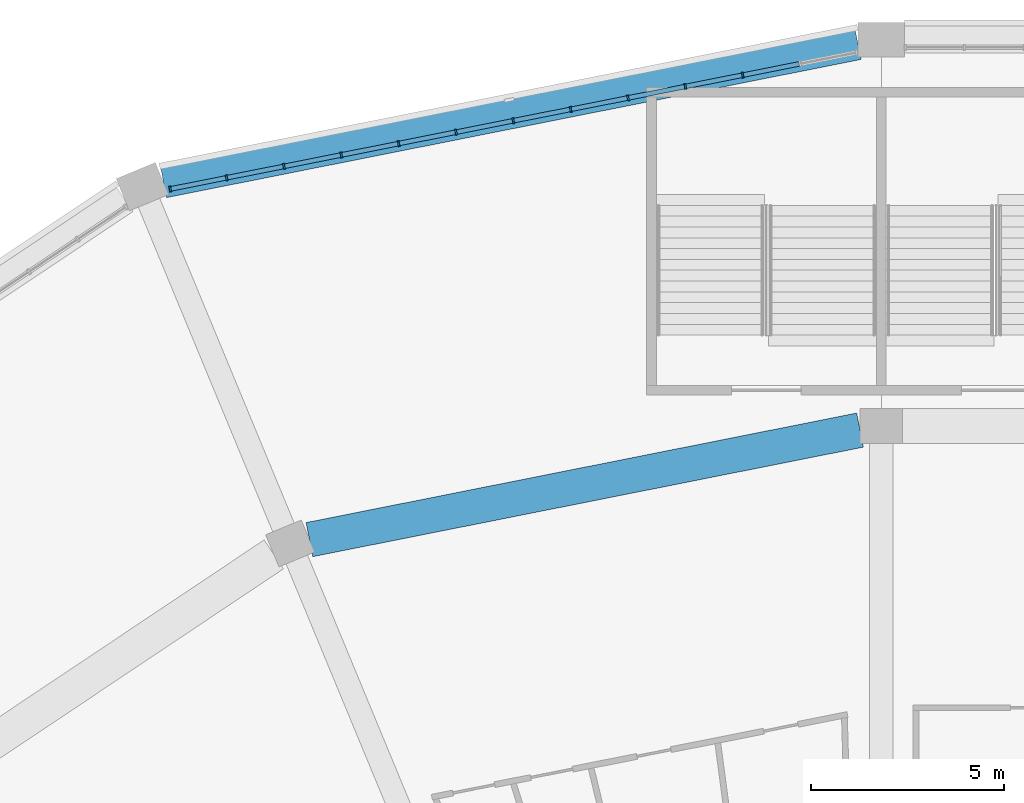
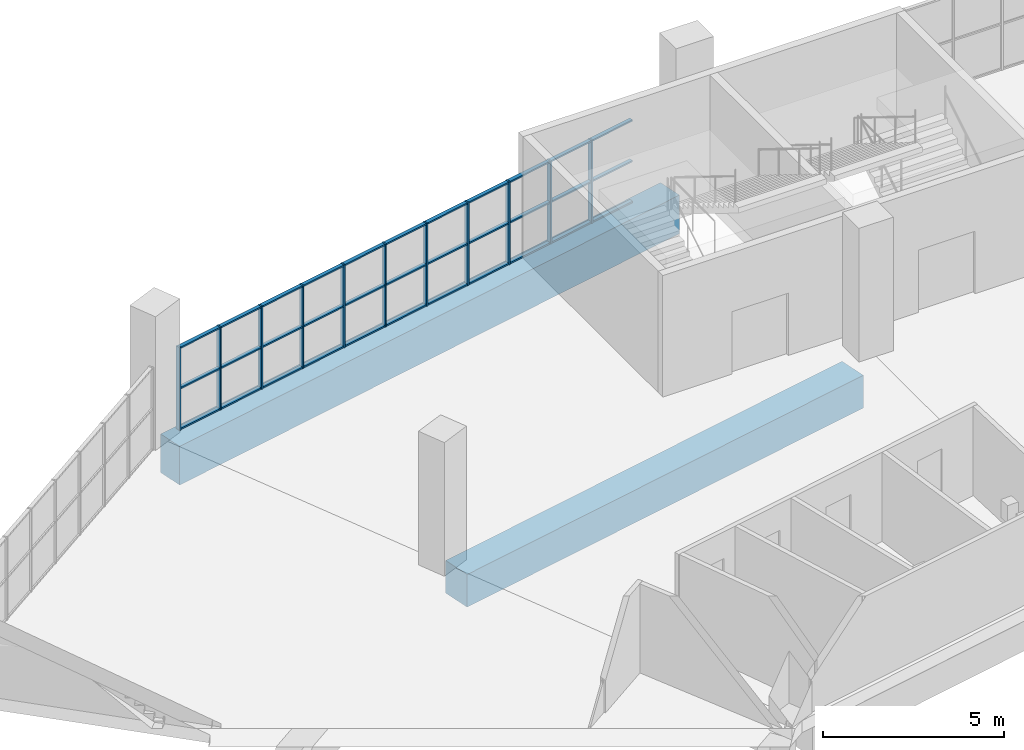
# One storey, part 42 of 199: 44 members, 2 beams, 1 element without a shape of its own.
"""IFC4 building model written with IfcOpenShell, lengths in metres."""

from ifc_helpers import new_model, si_unit, direction, frame, origin, origin_2d, place, context, subcontext, project, spatial, rectangle, extrude, material, material_profile, profile_set, type_object, element, aggregate, save


model = new_model("IFC4")

# Units and contexts
model_context = context("Model", 3, precision=1e-05, world=origin(), true_north=direction((0.0, 1.0)))
body_context = subcontext(model_context, "Body", "Model", "MODEL_VIEW")
ifc_project = project(units=[si_unit("LENGTHUNIT", "METRE"), si_unit("AREAUNIT", "SQUARE_METRE"), si_unit("VOLUMEUNIT", "CUBIC_METRE"), si_unit("PLANEANGLEUNIT", "RADIAN"), si_unit("MASSUNIT", "GRAM", prefix="KILO")], contexts=[model_context])

# Site, building, storey
site_placement = place(None, origin())
site = spatial("IfcSite", under=ifc_project, at=site_placement, CompositionType="ELEMENT")
building_placement = place(site_placement, origin())
building = spatial("IfcBuilding", under=site, at=building_placement, Name="Ogive Plaza Stadium", CompositionType="ELEMENT")
storey_placement = place(building_placement, frame((0.0, 0.0, 9.0)))
storey = spatial("IfcBuildingStorey", under=building, at=storey_placement, Name="L02", CompositionType="ELEMENT", Elevation=9.0)

# Curtain wall, members
ifc_material_1 = material(Name="Bronze-anodised aluminium with laminated glass", Category="aluminium")
curtain_wall_type = type_object("IfcCurtainWallType", Name="Lancet curtain wall", PredefinedType="NOTDEFINED", material=ifc_material_1)
curtain_wall_placement = place(storey_placement, origin())
curtain_wall = element("IfcCurtainWall", 1, at=curtain_wall_placement, inside=storey, type_object=curtain_wall_type, Name="CURTAIN WALL B31 L02", PredefinedType="NOTDEFINED")
ifc_material_2 = material(Name="Bronze-anodised aluminium", Category="aluminium")
ifc_material_profile_1 = material_profile(ifc_material_2, rectangle(XDim=0.14990234375, YDim=0.050048828125, at=origin_2d()), Name="AL 150x50")
ifc_profile_set_1 = profile_set([ifc_material_profile_1], Name="Bronze-anodised aluminium")
member_type_1 = type_object("IfcMemberType", Name="Curtain wall mullion 50x150", PredefinedType="MULLION", material=ifc_profile_set_1)
member_1_placement = place(storey_placement, frame((-52.412109375, 98.6337890625, 0.0), z_axis=(0.0, 0.0, 1.0), x_axis=(-0.195090322016, 0.980785280403, 0.0)))
member_1 = element("IfcMember", 2, at=member_1_placement, type_object=member_type_1, Name="CW-B31-L02 mullion 1", PredefinedType="MULLION", context=body_context, shape_type="SweptSolid", body=[
    extrude(rectangle(XDim=0.14990234375, YDim=0.050048828125, at=origin_2d()), origin(), (0.0, 0.0, 1.0), 2.7900390625),
])
member_2_placement = place(storey_placement, frame((-50.951904296875, 98.924072265625, 0.0), z_axis=(0.0, 0.0, 1.0), x_axis=(-0.195090322016, 0.980785280403, 0.0)))
member_2 = element("IfcMember", 3, at=member_2_placement, type_object=member_type_1, Name="CW-B31-L02 mullion 2", PredefinedType="MULLION", context=body_context, shape_type="SweptSolid", body=[
    extrude(rectangle(XDim=0.14990234375, YDim=0.050048828125, at=origin_2d()), origin(), (0.0, 0.0, 1.0), 2.7900390625),
])
member_3_placement = place(storey_placement, frame((-49.467041015625, 99.219482421875, 0.0), z_axis=(0.0, 0.0, 1.0), x_axis=(-0.195090322016, 0.980785280403, 0.0)))
member_3 = element("IfcMember", 4, at=member_3_placement, type_object=member_type_1, Name="CW-B31-L02 mullion 3", PredefinedType="MULLION", context=body_context, shape_type="SweptSolid", body=[
    extrude(rectangle(XDim=0.14990234375, YDim=0.050048828125, at=origin_2d()), origin(), (0.0, 0.0, 1.0), 2.7900390625),
])
member_4_placement = place(storey_placement, frame((-47.982421875, 99.514892578125, 0.0), z_axis=(0.0, 0.0, 1.0), x_axis=(-0.195090322016, 0.980785280403, 0.0)))
member_4 = element("IfcMember", 5, at=member_4_placement, type_object=member_type_1, Name="CW-B31-L02 mullion 4", PredefinedType="MULLION", context=body_context, shape_type="SweptSolid", body=[
    extrude(rectangle(XDim=0.14990234375, YDim=0.050048828125, at=origin_2d()), origin(), (0.0, 0.0, 1.0), 2.7900390625),
])
member_5_placement = place(storey_placement, frame((-46.49755859375, 99.81005859375, 0.0), z_axis=(0.0, 0.0, 1.0), x_axis=(-0.195090322016, 0.980785280403, 0.0)))
member_5 = element("IfcMember", 6, at=member_5_placement, type_object=member_type_1, Name="CW-B31-L02 mullion 5", PredefinedType="MULLION", context=body_context, shape_type="SweptSolid", body=[
    extrude(rectangle(XDim=0.14990234375, YDim=0.050048828125, at=origin_2d()), origin(), (0.0, 0.0, 1.0), 2.7900390625),
])
member_6_placement = place(storey_placement, frame((-45.012939453125, 100.10546875, 0.0), z_axis=(0.0, 0.0, 1.0), x_axis=(-0.195090322016, 0.980785280403, 0.0)))
member_6 = element("IfcMember", 7, at=member_6_placement, type_object=member_type_1, Name="CW-B31-L02 mullion 6", PredefinedType="MULLION", context=body_context, shape_type="SweptSolid", body=[
    extrude(rectangle(XDim=0.14990234375, YDim=0.050048828125, at=origin_2d()), origin(), (0.0, 0.0, 1.0), 2.7900390625),
])
member_7_placement = place(storey_placement, frame((-43.528076171875, 100.40087890625, 0.0), z_axis=(0.0, 0.0, 1.0), x_axis=(-0.195090322016, 0.980785280403, 0.0)))
member_7 = element("IfcMember", 8, at=member_7_placement, type_object=member_type_1, Name="CW-B31-L02 mullion 7", PredefinedType="MULLION", context=body_context, shape_type="SweptSolid", body=[
    extrude(rectangle(XDim=0.14990234375, YDim=0.050048828125, at=origin_2d()), origin(), (0.0, 0.0, 1.0), 2.7900390625),
])
member_8_placement = place(storey_placement, frame((-42.043212890625, 100.6962890625, 0.0), z_axis=(0.0, 0.0, 1.0), x_axis=(-0.195090322016, 0.980785280403, 0.0)))
member_8 = element("IfcMember", 9, at=member_8_placement, type_object=member_type_1, Name="CW-B31-L02 mullion 8", PredefinedType="MULLION", context=body_context, shape_type="SweptSolid", body=[
    extrude(rectangle(XDim=0.14990234375, YDim=0.050048828125, at=origin_2d()), origin(), (0.0, 0.0, 1.0), 2.7900390625),
])
member_9_placement = place(storey_placement, frame((-40.55859375, 100.991455078125, 0.0), z_axis=(0.0, 0.0, 1.0), x_axis=(-0.195090322016, 0.980785280403, 0.0)))
member_9 = element("IfcMember", 10, at=member_9_placement, type_object=member_type_1, Name="CW-B31-L02 mullion 9", PredefinedType="MULLION", context=body_context, shape_type="SweptSolid", body=[
    extrude(rectangle(XDim=0.14990234375, YDim=0.050048828125, at=origin_2d()), origin(), (0.0, 0.0, 1.0), 2.7900390625),
])
member_10_placement = place(storey_placement, frame((-39.07373046875, 101.286865234375, 0.0), z_axis=(0.0, 0.0, 1.0), x_axis=(-0.195090322016, 0.980785280403, 0.0)))
member_10 = element("IfcMember", 11, at=member_10_placement, type_object=member_type_1, Name="CW-B31-L02 mullion 10", PredefinedType="MULLION", context=body_context, shape_type="SweptSolid", body=[
    extrude(rectangle(XDim=0.14990234375, YDim=0.050048828125, at=origin_2d()), origin(), (0.0, 0.0, 1.0), 2.7900390625),
])
member_11_placement = place(storey_placement, frame((-37.589111328125, 101.582275390625, 0.0), z_axis=(0.0, 0.0, 1.0), x_axis=(-0.195090322016, 0.980785280403, 0.0)))
member_11 = element("IfcMember", 12, at=member_11_placement, type_object=member_type_1, Name="CW-B31-L02 mullion 11", PredefinedType="MULLION", context=body_context, shape_type="SweptSolid", body=[
    extrude(rectangle(XDim=0.14990234375, YDim=0.050048828125, at=origin_2d()), origin(), (0.0, 0.0, 1.0), 2.7900390625),
])
ifc_material_3 = material(Name="Bronze-anodised aluminium", Category="aluminium")
ifc_material_profile_2 = material_profile(ifc_material_3, rectangle(XDim=0.1201171875, YDim=0.050048828125, at=origin_2d()), Name="AL 120x50")
ifc_profile_set_2 = profile_set([ifc_material_profile_2], Name="Bronze-anodised aluminium")
member_type_2 = type_object("IfcMemberType", Name="Curtain wall transom 50x120", PredefinedType="USERDEFINED", material=ifc_profile_set_2)
member_12_placement = place(storey_placement, frame((-52.3876953125, 98.638671875, 0.02490234375), z_axis=(0.980814888552, 0.194941412722, 0.0), x_axis=(-0.194941412722, 0.980814888552, 0.0)))
member_12 = element("IfcMember", 13, at=member_12_placement, type_object=member_type_2, Name="CW-B31-L02 transom 1.1", ObjectType="TRANSOM", PredefinedType="USERDEFINED", context=body_context, shape_type="SweptSolid", body=[
    extrude(rectangle(XDim=0.1201171875, YDim=0.050048828125, at=origin_2d()), origin(), (0.0, 0.0, 1.0), 1.43896484375),
])
member_13_placement = place(storey_placement, frame((-52.3876953125, 98.638671875, 1.39501953125), z_axis=(0.980814888552, 0.194941412722, 0.0), x_axis=(-0.194941412722, 0.980814888552, 0.0)))
member_13 = element("IfcMember", 14, at=member_13_placement, type_object=member_type_2, Name="CW-B31-L02 transom 1.2", ObjectType="TRANSOM", PredefinedType="USERDEFINED", context=body_context, shape_type="SweptSolid", body=[
    extrude(rectangle(XDim=0.1201171875, YDim=0.050048828125, at=origin_2d()), origin(), (0.0, 0.0, 1.0), 1.43896484375),
])
member_14_placement = place(storey_placement, frame((-52.3876953125, 98.638671875, 2.764892578125), z_axis=(0.980814888552, 0.194941412722, 0.0), x_axis=(-0.194941412722, 0.980814888552, 0.0)))
member_14 = element("IfcMember", 15, at=member_14_placement, type_object=member_type_2, Name="CW-B31-L02 transom 1.3", ObjectType="TRANSOM", PredefinedType="USERDEFINED", context=body_context, shape_type="SweptSolid", body=[
    extrude(rectangle(XDim=0.1201171875, YDim=0.050048828125, at=origin_2d()), origin(), (0.0, 0.0, 1.0), 1.43896484375),
])
member_15_placement = place(storey_placement, frame((-50.92724609375, 98.928955078125, 0.02490234375), z_axis=(0.980772662828, 0.195153744134, 0.0), x_axis=(-0.195153744134, 0.980772662828, 0.0)))
member_15 = element("IfcMember", 16, at=member_15_placement, type_object=member_type_2, Name="CW-B31-L02 transom 2.1", ObjectType="TRANSOM", PredefinedType="USERDEFINED", context=body_context, shape_type="SweptSolid", body=[
    extrude(rectangle(XDim=0.1201171875, YDim=0.050048828125, at=origin_2d()), origin(), (0.0, 0.0, 1.0), 1.463623046875),
])
member_16_placement = place(storey_placement, frame((-50.92724609375, 98.928955078125, 1.39501953125), z_axis=(0.980772662828, 0.195153744134, 0.0), x_axis=(-0.195153744134, 0.980772662828, 0.0)))
member_16 = element("IfcMember", 17, at=member_16_placement, type_object=member_type_2, Name="CW-B31-L02 transom 2.2", ObjectType="TRANSOM", PredefinedType="USERDEFINED", context=body_context, shape_type="SweptSolid", body=[
    extrude(rectangle(XDim=0.1201171875, YDim=0.050048828125, at=origin_2d()), origin(), (0.0, 0.0, 1.0), 1.463623046875),
])
member_17_placement = place(storey_placement, frame((-50.92724609375, 98.928955078125, 2.764892578125), z_axis=(0.980772662828, 0.195153744134, 0.0), x_axis=(-0.195153744134, 0.980772662828, 0.0)))
member_17 = element("IfcMember", 18, at=member_17_placement, type_object=member_type_2, Name="CW-B31-L02 transom 2.3", ObjectType="TRANSOM", PredefinedType="USERDEFINED", context=body_context, shape_type="SweptSolid", body=[
    extrude(rectangle(XDim=0.1201171875, YDim=0.050048828125, at=origin_2d()), origin(), (0.0, 0.0, 1.0), 1.463623046875),
])
member_18_placement = place(storey_placement, frame((-49.442626953125, 99.224365234375, 0.02490234375), z_axis=(0.980779013771, 0.195121823859, 0.0), x_axis=(-0.195121823859, 0.980779013771, 0.0)))
member_18 = element("IfcMember", 19, at=member_18_placement, type_object=member_type_2, Name="CW-B31-L02 transom 3.1", ObjectType="TRANSOM", PredefinedType="USERDEFINED", context=body_context, shape_type="SweptSolid", body=[
    extrude(rectangle(XDim=0.1201171875, YDim=0.050048828125, at=origin_2d()), origin(), (0.0, 0.0, 1.0), 1.4638671875),
])
member_19_placement = place(storey_placement, frame((-49.442626953125, 99.224365234375, 1.39501953125), z_axis=(0.980779013771, 0.195121823859, 0.0), x_axis=(-0.195121823859, 0.980779013771, 0.0)))
member_19 = element("IfcMember", 20, at=member_19_placement, type_object=member_type_2, Name="CW-B31-L02 transom 3.2", ObjectType="TRANSOM", PredefinedType="USERDEFINED", context=body_context, shape_type="SweptSolid", body=[
    extrude(rectangle(XDim=0.1201171875, YDim=0.050048828125, at=origin_2d()), origin(), (0.0, 0.0, 1.0), 1.4638671875),
])
member_20_placement = place(storey_placement, frame((-49.442626953125, 99.224365234375, 2.764892578125), z_axis=(0.980779013771, 0.195121823859, 0.0), x_axis=(-0.195121823859, 0.980779013771, 0.0)))
member_20 = element("IfcMember", 21, at=member_20_placement, type_object=member_type_2, Name="CW-B31-L02 transom 3.3", ObjectType="TRANSOM", PredefinedType="USERDEFINED", context=body_context, shape_type="SweptSolid", body=[
    extrude(rectangle(XDim=0.1201171875, YDim=0.050048828125, at=origin_2d()), origin(), (0.0, 0.0, 1.0), 1.4638671875),
])
member_21_placement = place(storey_placement, frame((-47.957763671875, 99.519775390625, 0.02490234375), z_axis=(0.980804576136, 0.194993290732, 0.0), x_axis=(-0.194993290732, 0.980804576136, 0.0)))
member_21 = element("IfcMember", 22, at=member_21_placement, type_object=member_type_2, Name="CW-B31-L02 transom 4.1", ObjectType="TRANSOM", PredefinedType="USERDEFINED", context=body_context, shape_type="SweptSolid", body=[
    extrude(rectangle(XDim=0.1201171875, YDim=0.050048828125, at=origin_2d()), origin(), (0.0, 0.0, 1.0), 1.463623046875),
])
member_22_placement = place(storey_placement, frame((-47.957763671875, 99.519775390625, 1.39501953125), z_axis=(0.980804576136, 0.194993290732, 0.0), x_axis=(-0.194993290732, 0.980804576136, 0.0)))
member_22 = element("IfcMember", 23, at=member_22_placement, type_object=member_type_2, Name="CW-B31-L02 transom 4.2", ObjectType="TRANSOM", PredefinedType="USERDEFINED", context=body_context, shape_type="SweptSolid", body=[
    extrude(rectangle(XDim=0.1201171875, YDim=0.050048828125, at=origin_2d()), origin(), (0.0, 0.0, 1.0), 1.463623046875),
])
member_23_placement = place(storey_placement, frame((-47.957763671875, 99.519775390625, 2.764892578125), z_axis=(0.980804576136, 0.194993290732, 0.0), x_axis=(-0.194993290732, 0.980804576136, 0.0)))
member_23 = element("IfcMember", 24, at=member_23_placement, type_object=member_type_2, Name="CW-B31-L02 transom 4.3", ObjectType="TRANSOM", PredefinedType="USERDEFINED", context=body_context, shape_type="SweptSolid", body=[
    extrude(rectangle(XDim=0.1201171875, YDim=0.050048828125, at=origin_2d()), origin(), (0.0, 0.0, 1.0), 1.463623046875),
])
member_24_placement = place(storey_placement, frame((-46.47314453125, 99.81494140625, 0.02490234375), z_axis=(0.980779013771, 0.195121823859, 0.0), x_axis=(-0.195121823859, 0.980779013771, 0.0)))
member_24 = element("IfcMember", 25, at=member_24_placement, type_object=member_type_2, Name="CW-B31-L02 transom 5.1", ObjectType="TRANSOM", PredefinedType="USERDEFINED", context=body_context, shape_type="SweptSolid", body=[
    extrude(rectangle(XDim=0.1201171875, YDim=0.050048828125, at=origin_2d()), origin(), (0.0, 0.0, 1.0), 1.4638671875),
])
member_25_placement = place(storey_placement, frame((-46.47314453125, 99.81494140625, 1.39501953125), z_axis=(0.980779013771, 0.195121823859, 0.0), x_axis=(-0.195121823859, 0.980779013771, 0.0)))
member_25 = element("IfcMember", 26, at=member_25_placement, type_object=member_type_2, Name="CW-B31-L02 transom 5.2", ObjectType="TRANSOM", PredefinedType="USERDEFINED", context=body_context, shape_type="SweptSolid", body=[
    extrude(rectangle(XDim=0.1201171875, YDim=0.050048828125, at=origin_2d()), origin(), (0.0, 0.0, 1.0), 1.4638671875),
])
member_26_placement = place(storey_placement, frame((-46.47314453125, 99.81494140625, 2.764892578125), z_axis=(0.980779013771, 0.195121823859, 0.0), x_axis=(-0.195121823859, 0.980779013771, 0.0)))
member_26 = element("IfcMember", 27, at=member_26_placement, type_object=member_type_2, Name="CW-B31-L02 transom 5.3", ObjectType="TRANSOM", PredefinedType="USERDEFINED", context=body_context, shape_type="SweptSolid", body=[
    extrude(rectangle(XDim=0.1201171875, YDim=0.050048828125, at=origin_2d()), origin(), (0.0, 0.0, 1.0), 1.4638671875),
])
member_27_placement = place(storey_placement, frame((-44.98828125, 100.1103515625, 0.02490234375), z_axis=(0.980779013771, 0.195121823859, 0.0), x_axis=(-0.195121823859, 0.980779013771, 0.0)))
member_27 = element("IfcMember", 28, at=member_27_placement, type_object=member_type_2, Name="CW-B31-L02 transom 6.1", ObjectType="TRANSOM", PredefinedType="USERDEFINED", context=body_context, shape_type="SweptSolid", body=[
    extrude(rectangle(XDim=0.1201171875, YDim=0.050048828125, at=origin_2d()), origin(), (0.0, 0.0, 1.0), 1.4638671875),
])
member_28_placement = place(storey_placement, frame((-44.98828125, 100.1103515625, 1.39501953125), z_axis=(0.980779013771, 0.195121823859, 0.0), x_axis=(-0.195121823859, 0.980779013771, 0.0)))
member_28 = element("IfcMember", 29, at=member_28_placement, type_object=member_type_2, Name="CW-B31-L02 transom 6.2", ObjectType="TRANSOM", PredefinedType="USERDEFINED", context=body_context, shape_type="SweptSolid", body=[
    extrude(rectangle(XDim=0.1201171875, YDim=0.050048828125, at=origin_2d()), origin(), (0.0, 0.0, 1.0), 1.4638671875),
])
member_29_placement = place(storey_placement, frame((-44.98828125, 100.1103515625, 2.764892578125), z_axis=(0.980779013771, 0.195121823859, 0.0), x_axis=(-0.195121823859, 0.980779013771, 0.0)))
member_29 = element("IfcMember", 30, at=member_29_placement, type_object=member_type_2, Name="CW-B31-L02 transom 6.3", ObjectType="TRANSOM", PredefinedType="USERDEFINED", context=body_context, shape_type="SweptSolid", body=[
    extrude(rectangle(XDim=0.1201171875, YDim=0.050048828125, at=origin_2d()), origin(), (0.0, 0.0, 1.0), 1.4638671875),
])
member_30_placement = place(storey_placement, frame((-43.503662109375, 100.40576171875, 0.02490234375), z_axis=(0.980779013771, 0.195121823859, 0.0), x_axis=(-0.195121823859, 0.980779013771, 0.0)))
member_30 = element("IfcMember", 31, at=member_30_placement, type_object=member_type_2, Name="CW-B31-L02 transom 7.1", ObjectType="TRANSOM", PredefinedType="USERDEFINED", context=body_context, shape_type="SweptSolid", body=[
    extrude(rectangle(XDim=0.1201171875, YDim=0.050048828125, at=origin_2d()), origin(), (0.0, 0.0, 1.0), 1.4638671875),
])
member_31_placement = place(storey_placement, frame((-43.503662109375, 100.40576171875, 1.39501953125), z_axis=(0.980779013771, 0.195121823859, 0.0), x_axis=(-0.195121823859, 0.980779013771, 0.0)))
member_31 = element("IfcMember", 32, at=member_31_placement, type_object=member_type_2, Name="CW-B31-L02 transom 7.2", ObjectType="TRANSOM", PredefinedType="USERDEFINED", context=body_context, shape_type="SweptSolid", body=[
    extrude(rectangle(XDim=0.1201171875, YDim=0.050048828125, at=origin_2d()), origin(), (0.0, 0.0, 1.0), 1.4638671875),
])
member_32_placement = place(storey_placement, frame((-43.503662109375, 100.40576171875, 2.764892578125), z_axis=(0.980779013771, 0.195121823859, 0.0), x_axis=(-0.195121823859, 0.980779013771, 0.0)))
member_32 = element("IfcMember", 33, at=member_32_placement, type_object=member_type_2, Name="CW-B31-L02 transom 7.3", ObjectType="TRANSOM", PredefinedType="USERDEFINED", context=body_context, shape_type="SweptSolid", body=[
    extrude(rectangle(XDim=0.1201171875, YDim=0.050048828125, at=origin_2d()), origin(), (0.0, 0.0, 1.0), 1.4638671875),
])
member_33_placement = place(storey_placement, frame((-42.018798828125, 100.700927734375, 0.02490234375), z_axis=(0.980779013771, 0.195121823859, 0.0), x_axis=(-0.195121823859, 0.980779013771, 0.0)))
member_33 = element("IfcMember", 34, at=member_33_placement, type_object=member_type_2, Name="CW-B31-L02 transom 8.1", ObjectType="TRANSOM", PredefinedType="USERDEFINED", context=body_context, shape_type="SweptSolid", body=[
    extrude(rectangle(XDim=0.1201171875, YDim=0.050048828125, at=origin_2d()), origin(), (0.0, 0.0, 1.0), 1.4638671875),
])
member_34_placement = place(storey_placement, frame((-42.018798828125, 100.700927734375, 1.39501953125), z_axis=(0.980779013771, 0.195121823859, 0.0), x_axis=(-0.195121823859, 0.980779013771, 0.0)))
member_34 = element("IfcMember", 35, at=member_34_placement, type_object=member_type_2, Name="CW-B31-L02 transom 8.2", ObjectType="TRANSOM", PredefinedType="USERDEFINED", context=body_context, shape_type="SweptSolid", body=[
    extrude(rectangle(XDim=0.1201171875, YDim=0.050048828125, at=origin_2d()), origin(), (0.0, 0.0, 1.0), 1.4638671875),
])
member_35_placement = place(storey_placement, frame((-42.018798828125, 100.700927734375, 2.764892578125), z_axis=(0.980779013771, 0.195121823859, 0.0), x_axis=(-0.195121823859, 0.980779013771, 0.0)))
member_35 = element("IfcMember", 36, at=member_35_placement, type_object=member_type_2, Name="CW-B31-L02 transom 8.3", ObjectType="TRANSOM", PredefinedType="USERDEFINED", context=body_context, shape_type="SweptSolid", body=[
    extrude(rectangle(XDim=0.1201171875, YDim=0.050048828125, at=origin_2d()), origin(), (0.0, 0.0, 1.0), 1.4638671875),
])
member_36_placement = place(storey_placement, frame((-40.533935546875, 100.996337890625, 0.02490234375), z_axis=(0.980772662828, 0.195153744134, 0.0), x_axis=(-0.195153744134, 0.980772662828, 0.0)))
member_36 = element("IfcMember", 37, at=member_36_placement, type_object=member_type_2, Name="CW-B31-L02 transom 9.1", ObjectType="TRANSOM", PredefinedType="USERDEFINED", context=body_context, shape_type="SweptSolid", body=[
    extrude(rectangle(XDim=0.1201171875, YDim=0.050048828125, at=origin_2d()), origin(), (0.0, 0.0, 1.0), 1.463623046875),
])
member_37_placement = place(storey_placement, frame((-40.533935546875, 100.996337890625, 1.39501953125), z_axis=(0.980772662828, 0.195153744134, 0.0), x_axis=(-0.195153744134, 0.980772662828, 0.0)))
member_37 = element("IfcMember", 38, at=member_37_placement, type_object=member_type_2, Name="CW-B31-L02 transom 9.2", ObjectType="TRANSOM", PredefinedType="USERDEFINED", context=body_context, shape_type="SweptSolid", body=[
    extrude(rectangle(XDim=0.1201171875, YDim=0.050048828125, at=origin_2d()), origin(), (0.0, 0.0, 1.0), 1.463623046875),
])
member_38_placement = place(storey_placement, frame((-40.533935546875, 100.996337890625, 2.764892578125), z_axis=(0.980772662828, 0.195153744134, 0.0), x_axis=(-0.195153744134, 0.980772662828, 0.0)))
member_38 = element("IfcMember", 39, at=member_38_placement, type_object=member_type_2, Name="CW-B31-L02 transom 9.3", ObjectType="TRANSOM", PredefinedType="USERDEFINED", context=body_context, shape_type="SweptSolid", body=[
    extrude(rectangle(XDim=0.1201171875, YDim=0.050048828125, at=origin_2d()), origin(), (0.0, 0.0, 1.0), 1.463623046875),
])
member_39_placement = place(storey_placement, frame((-39.04931640625, 101.291748046875, 0.02490234375), z_axis=(0.980779013771, 0.195121823859, 0.0), x_axis=(-0.195121823859, 0.980779013771, 0.0)))
member_39 = element("IfcMember", 40, at=member_39_placement, type_object=member_type_2, Name="CW-B31-L02 transom 10.1", ObjectType="TRANSOM", PredefinedType="USERDEFINED", context=body_context, shape_type="SweptSolid", body=[
    extrude(rectangle(XDim=0.1201171875, YDim=0.050048828125, at=origin_2d()), origin(), (0.0, 0.0, 1.0), 1.4638671875),
])
member_40_placement = place(storey_placement, frame((-39.04931640625, 101.291748046875, 1.39501953125), z_axis=(0.980779013771, 0.195121823859, 0.0), x_axis=(-0.195121823859, 0.980779013771, 0.0)))
member_40 = element("IfcMember", 41, at=member_40_placement, type_object=member_type_2, Name="CW-B31-L02 transom 10.2", ObjectType="TRANSOM", PredefinedType="USERDEFINED", context=body_context, shape_type="SweptSolid", body=[
    extrude(rectangle(XDim=0.1201171875, YDim=0.050048828125, at=origin_2d()), origin(), (0.0, 0.0, 1.0), 1.4638671875),
])
member_41_placement = place(storey_placement, frame((-39.04931640625, 101.291748046875, 2.764892578125), z_axis=(0.980779013771, 0.195121823859, 0.0), x_axis=(-0.195121823859, 0.980779013771, 0.0)))
member_41 = element("IfcMember", 42, at=member_41_placement, type_object=member_type_2, Name="CW-B31-L02 transom 10.3", ObjectType="TRANSOM", PredefinedType="USERDEFINED", context=body_context, shape_type="SweptSolid", body=[
    extrude(rectangle(XDim=0.1201171875, YDim=0.050048828125, at=origin_2d()), origin(), (0.0, 0.0, 1.0), 1.4638671875),
])
member_42_placement = place(storey_placement, frame((-37.564453125, 101.587158203125, 0.02490234375), z_axis=(0.980804576136, 0.194993290732, 0.0), x_axis=(-0.194993290732, 0.980804576136, 0.0)))
member_42 = element("IfcMember", 43, at=member_42_placement, type_object=member_type_2, Name="CW-B31-L02 transom 11.1", ObjectType="TRANSOM", PredefinedType="USERDEFINED", context=body_context, shape_type="SweptSolid", body=[
    extrude(rectangle(XDim=0.1201171875, YDim=0.050048828125, at=origin_2d()), origin(), (0.0, 0.0, 1.0), 1.463623046875),
])
member_43_placement = place(storey_placement, frame((-37.564453125, 101.587158203125, 1.39501953125), z_axis=(0.980804576136, 0.194993290732, 0.0), x_axis=(-0.194993290732, 0.980804576136, 0.0)))
member_43 = element("IfcMember", 44, at=member_43_placement, type_object=member_type_2, Name="CW-B31-L02 transom 11.2", ObjectType="TRANSOM", PredefinedType="USERDEFINED", context=body_context, shape_type="SweptSolid", body=[
    extrude(rectangle(XDim=0.1201171875, YDim=0.050048828125, at=origin_2d()), origin(), (0.0, 0.0, 1.0), 1.463623046875),
])
member_44_placement = place(storey_placement, frame((-37.564453125, 101.587158203125, 2.764892578125), z_axis=(0.980804576136, 0.194993290732, 0.0), x_axis=(-0.194993290732, 0.980804576136, 0.0)))
member_44 = element("IfcMember", 45, at=member_44_placement, type_object=member_type_2, Name="CW-B31-L02 transom 11.3", ObjectType="TRANSOM", PredefinedType="USERDEFINED", context=body_context, shape_type="SweptSolid", body=[
    extrude(rectangle(XDim=0.1201171875, YDim=0.050048828125, at=origin_2d()), origin(), (0.0, 0.0, 1.0), 1.463623046875),
])
aggregate(curtain_wall, [member_1, member_2, member_3, member_4, member_5, member_6, member_7, member_8, member_9, member_10, member_11, member_12, member_13, member_14, member_15, member_16, member_17, member_18, member_19, member_20, member_21, member_22, member_23, member_24, member_25, member_26, member_27, member_28, member_29, member_30, member_31, member_32, member_33, member_34, member_35, member_36, member_37, member_38, member_39, member_40, member_41, member_42, member_43, member_44])

# Beams
ifc_material_4 = material(Name="Concrete C40/50", Category="concrete")
ifc_material_profile_3 = material_profile(ifc_material_4, rectangle(XDim=0.89990234375, YDim=1.10009765625, at=origin_2d()), Name="RC 900x1100")
ifc_profile_set_3 = profile_set([ifc_material_profile_3], Name="Concrete C40/50")
beam_type_1 = type_object("IfcBeamType", Name="RC ring beam 900x1100", PredefinedType="BEAM", material=ifc_profile_set_3)
beam_1_placement = place(storey_placement, frame((-48.807373046875, 89.5546875, -0.9599609375), z_axis=(0.980785551724, 0.195088957992, 0.0), x_axis=(-0.195088957992, 0.980785551724, 0.0)))
element("IfcBeam", 46, at=beam_1_placement, inside=storey, type_object=beam_type_1, Name="Ring beam F4 L02 B31", PredefinedType="BEAM", context=body_context, shape_type="SweptSolid", body=[
    extrude(rectangle(XDim=0.89990234375, YDim=1.10009765625, at=origin_2d()), origin(), (0.0, 0.0, 1.0), 14.53662109375),
])
ifc_material_5 = material(Name="Concrete C40/50", Category="concrete")
ifc_material_profile_4 = material_profile(ifc_material_5, rectangle(XDim=0.800048828125, YDim=1.300048828125, at=origin_2d()), Name="RC 800x1300")
ifc_profile_set_4 = profile_set([ifc_material_profile_4], Name="Concrete C40/50")
beam_type_2 = type_object("IfcBeamType", Name="RC spandrel beam 800x1300", PredefinedType="SPANDREL", material=ifc_profile_set_4)
beam_2_placement = place(storey_placement, frame((-52.584228515625, 98.803466796875, -1.06005859375), z_axis=(0.980786507619, 0.195084152283, 0.0), x_axis=(-0.195084152283, 0.980786507619, 0.0)))
element("IfcBeam", 47, at=beam_2_placement, inside=storey, type_object=beam_type_2, Name="Ring beam F5 L02 B31", PredefinedType="SPANDREL", context=body_context, shape_type="SweptSolid", body=[
    extrude(rectangle(XDim=0.800048828125, YDim=1.300048828125, at=origin_2d()), origin(), (0.0, 0.0, 1.0), 18.33642578125),
])

save(model, "model.ifc")
